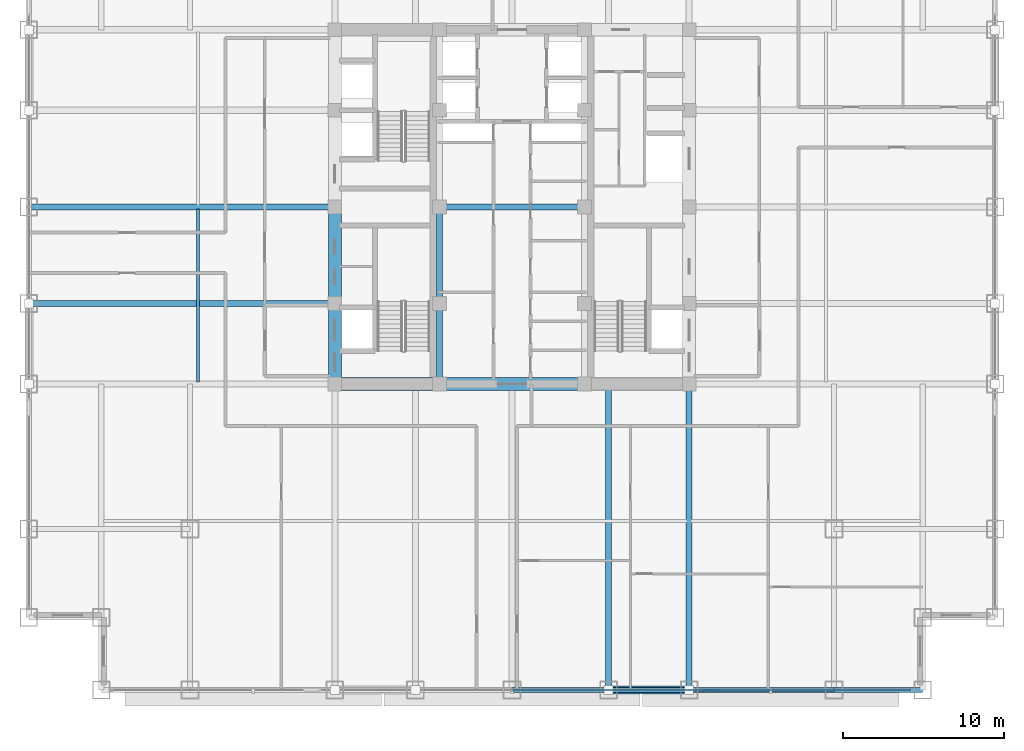
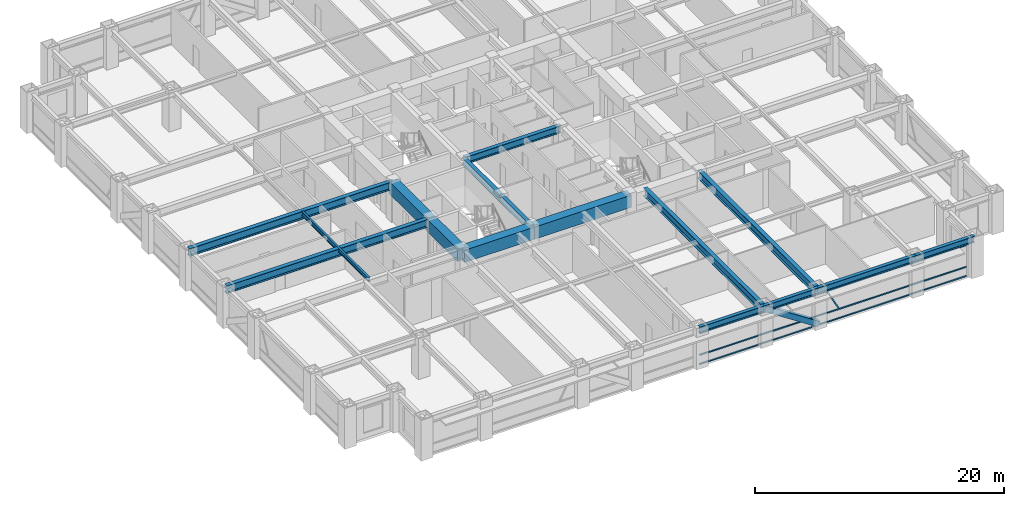
# One storey, part 7 of 28: 16 beams, 5 members, 1 element without a shape of its own.
"""IFC4 building model written with IfcOpenShell, lengths in metres."""

import ifcopenshell
import ifcopenshell.guid

model = None  # the IFC model being written
_history = None  # IfcOwnerHistory: only IFC2X3 demands one
_inside = {}  # id of a spatial element -> (the spatial element, [elements in it])
_under = {}  # id of a project, library or spatial element -> (it, [spatial elements below it])
_declared = {}  # id of a project -> (the project, [libraries it declares])
_typed = {}  # id of a type object -> (the type object, [elements of that type])
_made_of = {}  # id of a material, layer set ... -> (it, [elements and type objects made of it])


def new_model(schema):
    """Start an empty IFC model of exactly this schema.

    Asked for "IFC4X3", IfcOpenShell would pick the latest addendum, in which some entities
    have other attributes; the version numbers below select the first issue.
    IFC2X3 requires an IfcOwnerHistory on every rooted entity: one is made here for all.
    """
    global model, _history
    if schema == "IFC4X3":
        model = ifcopenshell.file(schema_version=(4, 3, 0, 0))
    else:
        model = ifcopenshell.file(schema=schema)
    _inside.clear()
    _under.clear()
    _declared.clear()
    _typed.clear()
    _made_of.clear()
    _history = None
    if model.schema == "IFC2X3":
        org = make("IfcOrganization", Name="unknown")
        user = make(
            "IfcPersonAndOrganization",
            ThePerson=make("IfcPerson", FamilyName="unknown"),
            TheOrganization=org,
        )
        app = make(
            "IfcApplication",
            ApplicationDeveloper=org,
            Version="unknown",
            ApplicationFullName="unknown",
            ApplicationIdentifier="unknown",
        )
        _history = make(
            "IfcOwnerHistory",
            OwningUser=user,
            OwningApplication=app,
            ChangeAction="ADDED",
            CreationDate=0,
        )
    return model


def make(cls, **values):
    """One entity of the class cls with the attributes given. An attribute that is None is left unset."""
    return model.create_entity(
        cls, **{name: value for name, value in values.items() if value is not None}
    )


def rooted(cls, **values):
    """An entity with a GlobalId (a new one), such as an element, a storey or a relation."""
    return make(cls, GlobalId=ifcopenshell.guid.new(), OwnerHistory=_history, **values)


def si_unit(unit_type, name, prefix=None):
    """IfcSIUnit, for example si_unit("LENGTHUNIT", "METRE", prefix="MILLI")."""
    return make("IfcSIUnit", UnitType=unit_type, Prefix=prefix, Name=name)


def assignment(units):
    """IfcUnitAssignment: the units of a project."""
    return None if units is None else make("IfcUnitAssignment", Units=units)


def point(xyz):
    """IfcCartesianPoint."""
    return None if xyz is None else make("IfcCartesianPoint", Coordinates=xyz)


def direction(xyz):
    """IfcDirection."""
    return None if xyz is None else make("IfcDirection", DirectionRatios=xyz)


def frame(location, z_axis=None, x_axis=None):
    """IfcAxis2Placement3D, a coordinate frame: its origin and axes. An axis left out is left unset."""
    return make(
        "IfcAxis2Placement3D",
        Location=point(location),
        Axis=direction(z_axis),
        RefDirection=direction(x_axis),
    )


def frame_2d(location, x_axis=None):
    """IfcAxis2Placement2D, a coordinate frame in the plane: its origin and x axis."""
    return make(
        "IfcAxis2Placement2D", Location=point(location), RefDirection=direction(x_axis)
    )


def origin():
    """The frame at (0, 0, 0) with its axes left unset."""
    return frame((0.0, 0.0, 0.0))


def origin_2d():
    """The frame at (0, 0) in the plane with its x axis left unset."""
    return frame_2d((0.0, 0.0))


def place(relative_to, where):
    """IfcLocalPlacement: puts the frame where relative to a parent placement (None: the world)."""
    return make(
        "IfcLocalPlacement", PlacementRelTo=relative_to, RelativePlacement=where
    )


def context(
    kind, dimensions, precision=None, world=None, true_north=None, identifier=None
):
    """IfcGeometricRepresentationContext, for example the 3D "Model" context."""
    return make(
        "IfcGeometricRepresentationContext",
        ContextIdentifier=identifier,
        ContextType=kind,
        CoordinateSpaceDimension=dimensions,
        Precision=precision,
        WorldCoordinateSystem=world,
        TrueNorth=true_north,
    )


def subcontext(parent, identifier, kind, view, scale=None):
    """IfcGeometricRepresentationSubContext, for example "Body" below "Model"."""
    return make(
        "IfcGeometricRepresentationSubContext",
        ContextIdentifier=identifier,
        ContextType=kind,
        ParentContext=parent,
        TargetScale=scale,
        TargetView=view,
    )


def project(units=None, contexts=None):
    """IfcProject with its units and contexts."""
    return rooted(
        "IfcProject",
        Name="project",
        RepresentationContexts=contexts,
        UnitsInContext=assignment(units),
    )


def spatial(cls, under=None, at=None, **own):
    """A site, building, storey or space (cls), placed at a placement, below another one or the project."""
    s = rooted(cls, ObjectPlacement=at, **own)
    if under is not None:
        _under.setdefault(under.id(), (under, []))[1].append(s)
    return s


def profile(cls, at=None, kind="AREA", **sizes):
    """A parametric profile (cls). Its sizes go by their IFC names, for example OverallWidth=200.0."""
    return make(cls, ProfileType=kind, Position=at, **sizes)


def rectangle(**sizes):
    """IfcRectangleProfileDef."""
    return profile("IfcRectangleProfileDef", **sizes)


def hollow_rectangle(**sizes):
    """IfcRectangleHollowProfileDef."""
    return profile("IfcRectangleHollowProfileDef", **sizes)


def i_section(**sizes):
    """IfcIShapeProfileDef."""
    return profile("IfcIShapeProfileDef", **sizes)


def extrude(swept, where, along, depth):
    """IfcExtrudedAreaSolid: the profile swept, set in the frame where, extruded along a direction by depth."""
    return make(
        "IfcExtrudedAreaSolid",
        SweptArea=swept,
        Position=where,
        ExtrudedDirection=direction(along),
        Depth=depth,
    )


def shape(context_of_items, identifier, shape_type, items):
    """IfcShapeRepresentation: the items that make up one representation, for example the "Body"."""
    return make(
        "IfcShapeRepresentation",
        ContextOfItems=context_of_items,
        RepresentationIdentifier=identifier,
        RepresentationType=shape_type,
        Items=items,
    )


def source(mapping_origin, context_of_items, identifier, shape_type, items):
    """IfcRepresentationMap: a shape defined once, which mapped items show again and again."""
    return make(
        "IfcRepresentationMap",
        MappingOrigin=mapping_origin,
        MappedRepresentation=shape(context_of_items, identifier, shape_type, items),
    )


def transform(
    local_origin,
    x_axis=None,
    y_axis=None,
    z_axis=None,
    scale=None,
    scale2=None,
    scale3=None,
    uniform=True,
):
    """IfcCartesianTransformationOperator3D, or its non-uniform kind. x_axis, y_axis, z_axis: its Axis1, 2, 3."""
    if uniform:
        return make(
            "IfcCartesianTransformationOperator3D",
            Axis1=direction(x_axis),
            Axis2=direction(y_axis),
            LocalOrigin=point(local_origin),
            Scale=scale,
            Axis3=direction(z_axis),
        )
    return make(
        "IfcCartesianTransformationOperator3DnonUniform",
        Axis1=direction(x_axis),
        Axis2=direction(y_axis),
        LocalOrigin=point(local_origin),
        Scale=scale,
        Axis3=direction(z_axis),
        Scale2=scale2,
        Scale3=scale3,
    )


def mapped(mapping_source, mapping_target):
    """IfcMappedItem: shows the shape of a source again, moved by a transform."""
    return make(
        "IfcMappedItem", MappingSource=mapping_source, MappingTarget=mapping_target
    )


def material(Name=None, Category=None):
    """IfcMaterial."""
    return make("IfcMaterial", Name=Name, Category=Category)


def material_profile(
    of_material, cross_section, Name=None, Category=None, Priority=None
):
    """IfcMaterialProfile: a cross section and its material."""
    return make(
        "IfcMaterialProfile",
        Name=Name,
        Material=of_material,
        Profile=cross_section,
        Priority=Priority,
        Category=Category,
    )


def profile_set(profiles, Name=None, composite=None):
    """IfcMaterialProfileSet."""
    return make(
        "IfcMaterialProfileSet",
        Name=Name,
        MaterialProfiles=profiles,
        CompositeProfile=composite,
    )


def made_of(thing, what):
    """Note that an element or type object is made of a material, layer set ...; save() writes the relation."""
    if what is not None:
        _made_of.setdefault(what.id(), (what, []))[1].append(thing)
    return thing


def type_object(cls, material=None, **own):
    """A type object (cls), such as IfcWallType, which elements share."""
    return made_of(rooted(cls, **own), material)


def element(
    cls,
    number,
    at=None,
    inside=None,
    cuts=None,
    type_object=None,
    material=None,
    context=None,
    identifier="Body",
    shape_type=None,
    held_by="IfcProductDefinitionShape",
    body=None,
    shapes=None,
    **own,
):
    """One element of the class cls, such as IfcWall. Its Tag is "e" and its number.

    at: its placement. inside: the storey or other place that contains it. cuts: it is an
    opening in that element (IfcRelVoidsElement). A single representation is given by context,
    identifier, shape_type and body (its items); several are given by shapes. held_by: the class
    of the entity that holds the representations. save() writes the other relations.
    """
    e = rooted(cls, Tag="e%d" % number, ObjectPlacement=at, **own)
    if body is not None:
        shapes = [shape(context, identifier, shape_type, body)]
    if shapes is not None:
        e.Representation = make(held_by, Representations=shapes)
    if inside is not None:
        _inside.setdefault(inside.id(), (inside, []))[1].append(e)
    if cuts is not None:
        rooted(
            "IfcRelVoidsElement", RelatingBuildingElement=cuts, RelatedOpeningElement=e
        )
    if type_object is not None:
        _typed.setdefault(type_object.id(), (type_object, []))[1].append(e)
    return made_of(e, material)


def aggregate(whole, parts):
    """IfcRelAggregates: a whole, such as a stair, and the parts it consists of."""
    return rooted("IfcRelAggregates", RelatingObject=whole, RelatedObjects=parts)


def save(model, path):
    """Write the relations noted so far, then the file.

    IfcRelAggregates (storeys below a building ...), IfcRelContainedInSpatialStructure (elements
    in a storey), IfcRelDefinesByType, IfcRelAssociatesMaterial and IfcRelDeclares: one each for
    every whole, place, type object, material and project.
    """
    for whole, parts in _under.values():
        aggregate(whole, parts)
    for where, things in _inside.values():
        rooted(
            "IfcRelContainedInSpatialStructure",
            RelatedElements=things,
            RelatingStructure=where,
        )
    for kind, things in _typed.values():
        rooted("IfcRelDefinesByType", RelatedObjects=things, RelatingType=kind)
    for what, things in _made_of.values():
        rooted("IfcRelAssociatesMaterial", RelatedObjects=things, RelatingMaterial=what)
    for by, libraries in _declared.values():
        rooted("IfcRelDeclares", RelatingContext=by, RelatedDefinitions=libraries)
    model.write(path)


model = new_model("IFC4")

# Units and contexts
model_context = context("Model", 3, precision=1e-05, world=origin(), true_north=direction((0.0, 1.0)))
body_context = subcontext(model_context, "Body", "Model", "MODEL_VIEW")
ifc_project = project(units=[si_unit("LENGTHUNIT", "METRE"), si_unit("AREAUNIT", "SQUARE_METRE"), si_unit("VOLUMEUNIT", "CUBIC_METRE"), si_unit("PLANEANGLEUNIT", "RADIAN"), si_unit("MASSUNIT", "GRAM", prefix="KILO")], contexts=[model_context])

# Site, building, storey
site_placement = place(None, origin())
site = spatial("IfcSite", under=ifc_project, at=site_placement, CompositionType="ELEMENT")
building_placement = place(site_placement, origin())
building = spatial("IfcBuilding", under=site, at=building_placement, Name="Khorayat Bourse Tower", CompositionType="ELEMENT")
storey_placement = place(building_placement, frame((0.0, 0.0, 191.10009765625)))
storey = spatial("IfcBuildingStorey", under=building, at=storey_placement, Name="L44", CompositionType="ELEMENT", Elevation=191.10009765625)

# Beams
ifc_material_1 = material(Name="Concrete C72/90", Category="concrete")
ifc_material_profile_1 = material_profile(ifc_material_1, rectangle(XDim=0.800048828125, YDim=1.199951171875, at=origin_2d()), Name="RC 800x1200")
ifc_profile_set_1 = profile_set([ifc_material_profile_1], Name="Concrete C72/90")
beam_type_1 = type_object("IfcBeamType", Name="BM-COUP-1200", PredefinedType="BEAM", material=ifc_profile_set_1)
shared_shape_1 = source(origin(), body_context, "Body", "SweptSolid", [
    extrude(rectangle(XDim=0.800048828125, YDim=1.199951171875, at=origin_2d()), origin(), (0.0, 0.0, 1.0), 5.0),
])
beam_1_placement = place(storey_placement, frame((-11.0, -11.0, 3.179931640625), z_axis=(0.0, 1.0, 0.0), x_axis=(-1.0, 0.0, 0.0)))
element("IfcBeam", 1, at=beam_1_placement, inside=storey, type_object=beam_type_1, Name="L44 BM-COUP-1200 BM-L44-CRX-01", PredefinedType="BEAM", context=body_context, shape_type="MappedRepresentation", body=[
    mapped(shared_shape_1, transform((0.0, 0.0, 0.0), scale=1.0)),
])
shared_shape_2 = source(origin(), body_context, "Body", "SweptSolid", [
    extrude(rectangle(XDim=0.800048828125, YDim=1.199951171875, at=origin_2d()), origin(), (0.0, 0.0, 1.0), 6.0),
])
beam_2_placement = place(storey_placement, frame((-11.0, -6.0, 3.179931640625), z_axis=(0.0, 1.0, 0.0), x_axis=(-1.0, 0.0, 0.0)))
element("IfcBeam", 2, at=beam_2_placement, inside=storey, type_object=beam_type_1, Name="L44 BM-COUP-1200 BM-L44-CRX-02", PredefinedType="BEAM", context=body_context, shape_type="MappedRepresentation", body=[
    mapped(shared_shape_2, transform((0.0, 0.0, 0.0), scale=1.0)),
])
ifc_material_2 = material(Name="Steel ASTM A992 Grade 50", Category="steel")
ifc_material_profile_2 = material_profile(ifc_material_2, i_section(OverallWidth=0.35498046875, OverallDepth=0.695068359375, WebThickness=0.015380859375, FlangeThickness=0.02490234375, FilletRadius=0.01806640625, at=origin_2d()), Name="W690X217")
ifc_profile_set_2 = profile_set([ifc_material_profile_2], Name="Steel ASTM A992 Grade 50")
beam_type_2 = type_object("IfcBeamType", Name="BM-GIRD-690", PredefinedType="BEAM", material=ifc_profile_set_2)
shared_shape_3 = source(origin(), body_context, "Body", "SweptSolid", [
    extrude(i_section(OverallWidth=0.35498046875, OverallDepth=0.695068359375, WebThickness=0.015380859375, FlangeThickness=0.02490234375, FilletRadius=0.01806640625, at=origin_2d()), origin(), (0.0, 0.0, 1.0), 5.0),
])
beam_3_placement = place(storey_placement, frame((-4.5, -11.0, 3.432373046875), z_axis=(0.0, 1.0, 0.0), x_axis=(-1.0, 0.0, 0.0)))
element("IfcBeam", 3, at=beam_3_placement, inside=storey, type_object=beam_type_2, Name="L44 BM-GIRD-690 BM-L44-CRX-05", PredefinedType="BEAM", context=body_context, shape_type="MappedRepresentation", body=[
    mapped(shared_shape_3, transform((0.0, 0.0, 0.0), scale=1.0)),
])
shared_shape_4 = source(origin(), body_context, "Body", "SweptSolid", [
    extrude(i_section(OverallWidth=0.35498046875, OverallDepth=0.695068359375, WebThickness=0.015380859375, FlangeThickness=0.02490234375, FilletRadius=0.01806640625, at=origin_2d()), origin(), (0.0, 0.0, 1.0), 6.0),
])
beam_4_placement = place(storey_placement, frame((-4.5, -6.0, 3.432373046875), z_axis=(0.0, 1.0, 0.0), x_axis=(-1.0, 0.0, 0.0)))
element("IfcBeam", 4, at=beam_4_placement, inside=storey, type_object=beam_type_2, Name="L44 BM-GIRD-690 BM-L44-CRX-06", PredefinedType="BEAM", context=body_context, shape_type="MappedRepresentation", body=[
    mapped(shared_shape_4, transform((0.0, 0.0, 0.0), scale=1.0)),
])
shared_shape_5 = source(origin(), body_context, "Body", "SweptSolid", [
    extrude(rectangle(XDim=0.800048828125, YDim=1.199951171875, at=origin_2d()), origin(), (0.0, 0.0, 1.0), 6.5),
])
beam_5_placement = place(storey_placement, frame((-11.0, -11.0, 3.179931640625), z_axis=(1.0, 0.0, 0.0), x_axis=(0.0, 1.0, 0.0)))
element("IfcBeam", 5, at=beam_5_placement, inside=storey, type_object=beam_type_1, Name="L44 BM-COUP-1200 BM-L44-CRY-17", PredefinedType="BEAM", context=body_context, shape_type="MappedRepresentation", body=[
    mapped(shared_shape_5, transform((0.0, 0.0, 0.0), scale=1.0)),
])
shared_shape_6 = source(origin(), body_context, "Body", "SweptSolid", [
    extrude(rectangle(XDim=0.800048828125, YDim=1.199951171875, at=origin_2d()), origin(), (0.0, 0.0, 1.0), 9.0),
])
beam_6_placement = place(storey_placement, frame((-4.5, -11.0, 3.179931640625), z_axis=(1.0, 0.0, 0.0), x_axis=(0.0, 1.0, 0.0)))
element("IfcBeam", 6, at=beam_6_placement, inside=storey, type_object=beam_type_1, Name="L44 BM-COUP-1200 BM-L44-CRY-18", PredefinedType="BEAM", context=body_context, shape_type="MappedRepresentation", body=[
    mapped(shared_shape_6, transform((0.0, 0.0, 0.0), scale=1.0)),
])
shared_shape_7 = source(origin(), body_context, "Body", "SweptSolid", [
    extrude(i_section(OverallWidth=0.35498046875, OverallDepth=0.695068359375, WebThickness=0.015380859375, FlangeThickness=0.02490234375, FilletRadius=0.01806640625, at=origin_2d()), origin(), (0.0, 0.0, 1.0), 9.0),
])
beam_7_placement = place(storey_placement, frame((-4.5, 0.0, 3.432373046875), z_axis=(1.0, 0.0, 0.0), x_axis=(0.0, 1.0, 0.0)))
element("IfcBeam", 7, at=beam_7_placement, inside=storey, type_object=beam_type_2, Name="L44 BM-GIRD-690 BM-L44-CRY-23", PredefinedType="BEAM", context=body_context, shape_type="MappedRepresentation", body=[
    mapped(shared_shape_7, transform((0.0, 0.0, 0.0), scale=1.0)),
])
ifc_material_profile_3 = material_profile(ifc_material_2, i_section(OverallWidth=0.381103515625, OverallDepth=0.77294921875, WebThickness=0.0166015625, FlangeThickness=0.027587890625, FilletRadius=0.01806640625, at=origin_2d()), Name="W760X257")
ifc_profile_set_3 = profile_set([ifc_material_profile_3], Name="Steel ASTM A992 Grade 50")
beam_type_3 = type_object("IfcBeamType", Name="BM-GIRD-760", PredefinedType="BEAM", material=ifc_profile_set_3)
shared_shape_8 = source(origin(), body_context, "Body", "SweptSolid", [
    extrude(i_section(OverallWidth=0.381103515625, OverallDepth=0.77294921875, WebThickness=0.0166015625, FlangeThickness=0.027587890625, FilletRadius=0.01806640625, at=origin_2d()), origin(), (0.0, 0.0, 1.0), 19.0),
])
for number, where, z_axis, x_axis, name in (
    (8, (6.0, -30.0, 3.393310546875), (0.0, 1.0, 0.0), (-1.0, 0.0, 0.0), "L44 BM-GIRD-760 BM-L44-RADY-071"),
    (9, (11.0, -30.0, 3.393310546875), (0.0, 1.0, 0.0), (-1.0, 0.0, 0.0), "L44 BM-GIRD-760 BM-L44-RADY-073"),
    (10, (-30.0, -6.0, 3.393310546875), (1.0, 0.0, 0.0), (0.0, 1.0, 0.0), "L44 BM-GIRD-760 BM-L44-RADX-077"),
    (11, (-30.0, 0.0, 3.393310546875), (1.0, 0.0, 0.0), (0.0, 1.0, 0.0), "L44 BM-GIRD-760 BM-L44-RADX-079"),
):
    element("IfcBeam", number, at=place(storey_placement, frame(where, z_axis=z_axis, x_axis=x_axis)), inside=storey, type_object=beam_type_3, Name=name, PredefinedType="BEAM", context=body_context, shape_type="MappedRepresentation", body=[
        mapped(shared_shape_8, transform((0.0, 0.0, 0.0), scale=1.0)),
    ])
ifc_material_profile_4 = material_profile(ifc_material_2, i_section(OverallWidth=0.180908203125, OverallDepth=0.4169921875, WebThickness=0.010986328125, FlangeThickness=0.018310546875, FilletRadius=0.011962890625, at=origin_2d()), Name="W410X85")
ifc_profile_set_4 = profile_set([ifc_material_profile_4], Name="Steel ASTM A992 Grade 50")
beam_type_4 = type_object("IfcBeamType", Name="BM-JOIST-410", PredefinedType="JOIST", material=ifc_profile_set_4)
shared_shape_9 = source(origin(), body_context, "Body", "SweptSolid", [
    extrude(i_section(OverallWidth=0.180908203125, OverallDepth=0.4169921875, WebThickness=0.010986328125, FlangeThickness=0.018310546875, FilletRadius=0.011962890625, at=origin_2d()), origin(), (0.0, 0.0, 1.0), 10.740234375),
])
beam_8_placement = place(storey_placement, frame((-19.5, -10.8701171875, 3.5712890625), z_axis=(0.0, 1.0, 0.0), x_axis=(-1.0, 0.0, 0.0)))
element("IfcBeam", 12, at=beam_8_placement, inside=storey, type_object=beam_type_4, Name="L44 BM-JOIST-410 BM-L44-JSTY-102", PredefinedType="JOIST", context=body_context, shape_type="MappedRepresentation", body=[
    mapped(shared_shape_9, transform((0.0, 0.0, 0.0), scale=1.0)),
])
ifc_material_profile_5 = material_profile(ifc_material_2, i_section(OverallWidth=0.324951171875, OverallDepth=0.615966796875, WebThickness=0.013916015625, FlangeThickness=0.021484375, FilletRadius=0.01611328125, at=origin_2d()), Name="W610X174")
ifc_profile_set_5 = profile_set([ifc_material_profile_5], Name="Steel ASTM A992 Grade 50")
beam_type_5 = type_object("IfcBeamType", Name="BM-SPAN-610", PredefinedType="SPANDREL", material=ifc_profile_set_5)
shared_shape_10 = source(origin(), body_context, "Body", "SweptSolid", [
    extrude(i_section(OverallWidth=0.324951171875, OverallDepth=0.615966796875, WebThickness=0.013916015625, FlangeThickness=0.021484375, FilletRadius=0.01611328125, at=origin_2d()), origin(), (0.0, 0.0, 1.0), 5.5),
])
beam_9_placement = place(storey_placement, frame((20.0, -30.0, 3.471923828125), z_axis=(1.0, 0.0, 0.0), x_axis=(0.0, 1.0, 0.0)))
element("IfcBeam", 13, at=beam_9_placement, inside=storey, type_object=beam_type_5, Name="L44 BM-SPAN-610 BM-L44-SPN-031", PredefinedType="SPANDREL", context=body_context, shape_type="MappedRepresentation", body=[
    mapped(shared_shape_10, transform((0.0, 0.0, 0.0), scale=1.0)),
])
shared_shape_11 = source(origin(), body_context, "Body", "SweptSolid", [
    extrude(i_section(OverallWidth=0.324951171875, OverallDepth=0.615966796875, WebThickness=0.013916015625, FlangeThickness=0.021484375, FilletRadius=0.01611328125, at=origin_2d()), origin(), (0.0, 0.0, 1.0), 9.0),
])
beam_10_placement = place(storey_placement, frame((11.0, -30.0, 3.471923828125), z_axis=(1.0, 0.0, 0.0), x_axis=(0.0, 1.0, 0.0)))
element("IfcBeam", 14, at=beam_10_placement, inside=storey, type_object=beam_type_5, Name="L44 BM-SPAN-610 BM-L44-SPN-030", PredefinedType="SPANDREL", context=body_context, shape_type="MappedRepresentation", body=[
    mapped(shared_shape_11, transform((0.0, 0.0, 0.0), scale=1.0)),
])
shared_shape_12 = source(origin(), body_context, "Body", "SweptSolid", [
    extrude(i_section(OverallWidth=0.324951171875, OverallDepth=0.615966796875, WebThickness=0.013916015625, FlangeThickness=0.021484375, FilletRadius=0.01611328125, at=origin_2d()), origin(), (0.0, 0.0, 1.0), 5.0),
])
beam_11_placement = place(storey_placement, frame((6.0, -30.0, 3.471923828125), z_axis=(1.0, 0.0, 0.0), x_axis=(0.0, 1.0, 0.0)))
element("IfcBeam", 15, at=beam_11_placement, inside=storey, type_object=beam_type_5, Name="L44 BM-SPAN-610 BM-L44-SPN-029", PredefinedType="SPANDREL", context=body_context, shape_type="MappedRepresentation", body=[
    mapped(shared_shape_12, transform((0.0, 0.0, 0.0), scale=1.0)),
])
shared_shape_13 = source(origin(), body_context, "Body", "SweptSolid", [
    extrude(i_section(OverallWidth=0.324951171875, OverallDepth=0.615966796875, WebThickness=0.013916015625, FlangeThickness=0.021484375, FilletRadius=0.01611328125, at=origin_2d()), origin(), (0.0, 0.0, 1.0), 6.0),
])
beam_12_placement = place(storey_placement, frame((0.0, -30.0, 3.471923828125), z_axis=(1.0, 0.0, 0.0), x_axis=(0.0, 1.0, 0.0)))
element("IfcBeam", 16, at=beam_12_placement, inside=storey, type_object=beam_type_5, Name="L44 BM-SPAN-610 BM-L44-SPN-028", PredefinedType="SPANDREL", context=body_context, shape_type="MappedRepresentation", body=[
    mapped(shared_shape_13, transform((0.0, 0.0, 0.0), scale=1.0)),
])

# Member
ifc_material_3 = material(Name="Steel EN 10025-4 S460M", Category="steel")
ifc_material_profile_6 = material_profile(ifc_material_3, hollow_rectangle(XDim=0.5, YDim=0.5, WallThickness=0.028076171875, at=origin_2d()), Name="HSS 500x500x28")
ifc_profile_set_6 = profile_set([ifc_material_profile_6], Name="Steel EN 10025-4 S460M")
member_type_1 = type_object("IfcMemberType", Name="MBR-TUBE-500", PredefinedType="BRACE", material=ifc_profile_set_6)
shared_shape_14 = source(origin(), body_context, "Body", "SweptSolid", [
    extrude(hollow_rectangle(XDim=0.5, YDim=0.5, WallThickness=0.028076171875, at=origin_2d()), origin(), (0.0, 0.0, 1.0), 5.979736328125),
])
member_1_placement = place(storey_placement, frame((6.0, -30.0, 3.52978515625), z_axis=(0.836160261256, 0.0, -0.548485202623), x_axis=(0.0, 1.0, 0.0)))
element("IfcMember", 17, at=member_1_placement, inside=storey, type_object=member_type_1, Name="L44 Perimeter Tube Brace 02", PredefinedType="BRACE", context=body_context, shape_type="MappedRepresentation", body=[
    mapped(shared_shape_14, transform((0.0, 0.0, 0.0), scale=1.0)),
])

# Curtain wall, members
ifc_material_4 = material(Name="Aluminium EN AW-6063 T6", Category="aluminium")
curtain_wall_type = type_object("IfcCurtainWallType", Name="CW-SYS-03", PredefinedType="NOTDEFINED", material=ifc_material_4)
curtain_wall_placement = place(storey_placement, origin())
curtain_wall = element("IfcCurtainWall", 18, at=curtain_wall_placement, inside=storey, type_object=curtain_wall_type, Name="L44 Curtain Wall CW-L44-S1", PredefinedType="NOTDEFINED")
ifc_material_profile_7 = material_profile(ifc_material_4, hollow_rectangle(XDim=0.1201171875, YDim=0.1201171875, WallThickness=0.0048828125, at=origin_2d()), Name="ALU 120x120x5")
ifc_profile_set_7 = profile_set([ifc_material_profile_7], Name="Aluminium EN AW-6063 T6")
member_type_2 = type_object("IfcMemberType", Name="CWM-DIAG-120", PredefinedType="MULLION", material=ifc_profile_set_7)
shared_shape_15 = source(origin(), body_context, "Body", "SweptSolid", [
    extrude(hollow_rectangle(XDim=0.1201171875, YDim=0.1201171875, WallThickness=0.0048828125, at=origin_2d()), origin(), (0.0, 0.0, 1.0), 2.079345703125),
])
member_2_placement = place(storey_placement, frame((12.904296875, -30.0, 1.08984375), z_axis=(-0.465760949701, 0.0, 0.884910581773), x_axis=(0.0, -1.0, 0.0)))
member_2 = element("IfcMember", 19, at=member_2_placement, type_object=member_type_2, Name="CW-L44-S1 Faceted Diagonal Mullion 2", PredefinedType="MULLION", context=body_context, shape_type="MappedRepresentation", body=[
    mapped(shared_shape_15, transform((0.0, 0.0, 0.0), scale=1.0)),
])
ifc_material_profile_8 = material_profile(ifc_material_4, hollow_rectangle(XDim=0.1201171875, YDim=0.1201171875, WallThickness=0.0048828125, at=origin_2d()), Name="ALU 120x120x5")
ifc_profile_set_8 = profile_set([ifc_material_profile_8], Name="Aluminium EN AW-6063 T6")
member_type_3 = type_object("IfcMemberType", Name="CWT-HORZ-120", PredefinedType="USERDEFINED", material=ifc_profile_set_8)
shared_shape_16 = source(origin(), body_context, "Body", "SweptSolid", [
    extrude(hollow_rectangle(XDim=0.1201171875, YDim=0.1201171875, WallThickness=0.0048828125, at=origin_2d()), origin(), (0.0, 0.0, 1.0), 24.719970703125),
])
member_3_placement = place(storey_placement, frame((0.06005859375, -30.0, 0.059814453125), z_axis=(1.0, 0.0, 0.0), x_axis=(0.0, 1.0, 0.0)))
member_3 = element("IfcMember", 20, at=member_3_placement, type_object=member_type_3, Name="CW-L44-S1 Horizontal Transom 2-1", ObjectType="TRANSOM", PredefinedType="USERDEFINED", context=body_context, shape_type="MappedRepresentation", body=[
    mapped(shared_shape_16, transform((0.0, 0.0, 0.0), scale=1.0)),
])
member_4_placement = place(storey_placement, frame((0.06005859375, -30.0, 0.949951171875), z_axis=(1.0, 0.0, 0.0), x_axis=(0.0, 1.0, 0.0)))
member_4 = element("IfcMember", 21, at=member_4_placement, type_object=member_type_3, Name="CW-L44-S1 Horizontal Transom 2-2", ObjectType="TRANSOM", PredefinedType="USERDEFINED", context=body_context, shape_type="MappedRepresentation", body=[
    mapped(shared_shape_16, transform((0.0, 0.0, 0.0), scale=1.0)),
])
member_5_placement = place(storey_placement, frame((0.06005859375, -30.0, 3.06982421875), z_axis=(1.0, 0.0, 0.0), x_axis=(0.0, 1.0, 0.0)))
member_5 = element("IfcMember", 22, at=member_5_placement, type_object=member_type_3, Name="CW-L44-S1 Horizontal Transom 2-3", ObjectType="TRANSOM", PredefinedType="USERDEFINED", context=body_context, shape_type="MappedRepresentation", body=[
    mapped(shared_shape_16, transform((0.0, 0.0, 0.0), scale=1.0)),
])
aggregate(curtain_wall, [member_3, member_4, member_5, member_2])

save(model, "model.ifc")
